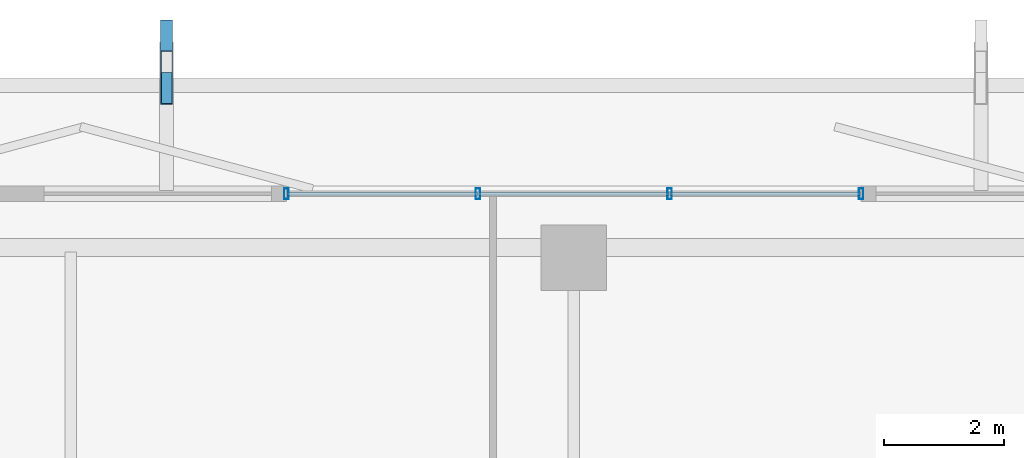
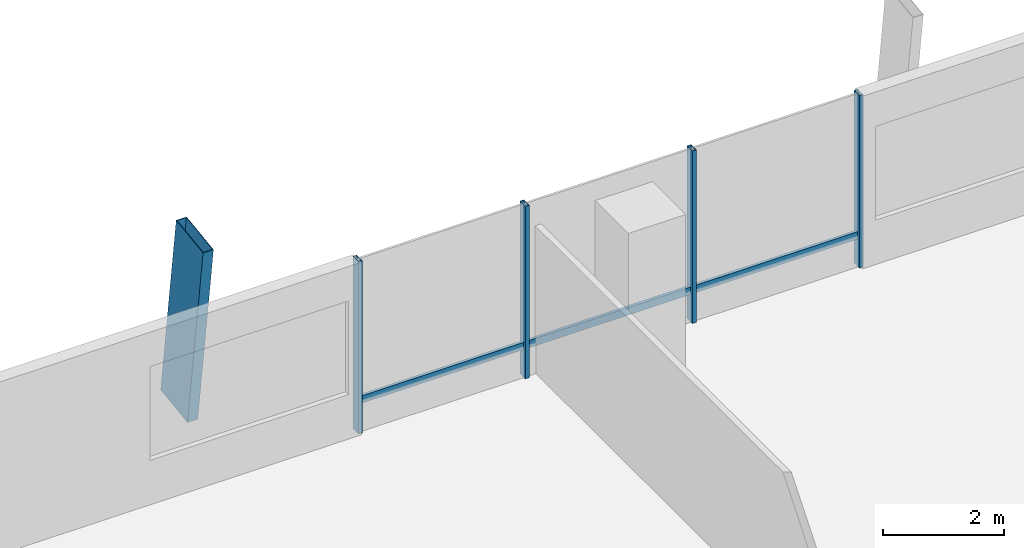
# One storey, part 10 of 16: 8 members, 1 element without a shape of its own.
"""IFC4 building model written with IfcOpenShell, lengths in metres."""

from ifc_helpers import new_model, si_unit, direction, frame, origin, origin_2d, place, context, subcontext, project, spatial, hollow_rectangle, extrude, material, layer, layer_set, material_profile, profile_set, type_object, element, aggregate, save


model = new_model("IFC4")

# Units and contexts
model_context = context("Model", 3, precision=1e-05, world=origin(), true_north=direction((0.0, 1.0)))
body_context = subcontext(model_context, "Body", "Model", "MODEL_VIEW")
ifc_project = project(units=[si_unit("LENGTHUNIT", "METRE"), si_unit("AREAUNIT", "SQUARE_METRE"), si_unit("VOLUMEUNIT", "CUBIC_METRE"), si_unit("PLANEANGLEUNIT", "RADIAN"), si_unit("MASSUNIT", "GRAM", prefix="KILO")], contexts=[model_context])

# Site, building, storey
site_placement = place(None, origin())
site = spatial("IfcSite", under=ifc_project, at=site_placement, CompositionType="ELEMENT")
building_placement = place(site_placement, origin())
building = spatial("IfcBuilding", under=site, at=building_placement, Name="Belovzor Exchange Tower", CompositionType="ELEMENT")
storey_placement = place(building_placement, frame((0.0, 0.0, 138.300048828125)))
storey = spatial("IfcBuildingStorey", under=building, at=storey_placement, Name="L33", CompositionType="ELEMENT", Elevation=138.300048828125)

# Member
ifc_material_1 = material(Name="Extruded Architectural Terracotta on Steel S355 Carrier", Category="masonry")
ifc_material_profile_1 = material_profile(ifc_material_1, hollow_rectangle(XDim=0.199951171875, YDim=0.89990234375, WallThickness=0.011962890625, at=origin_2d()))
ifc_profile_set_1 = profile_set([ifc_material_profile_1], Name="Extruded Architectural Terracotta on Steel S355 Carrier")
member_type_1 = type_object("IfcMemberType", Name="Sweeping Terracotta Baguette Fin Assembly 1250", PredefinedType="USERDEFINED", material=ifc_profile_set_1)
member_1_placement = place(storey_placement, frame((22.0, 55.425048828125, -0.255126953125), z_axis=(0.0, -0.136851262382, 0.990591607063), x_axis=(1.0, 0.0, 0.0)))
element("IfcMember", 1, at=member_1_placement, inside=storey, type_object=member_type_1, Name="FIN-TC125 Terracotta Facade Fin L33 N2", ObjectType="FIN", PredefinedType="USERDEFINED", context=body_context, shape_type="SweptSolid", body=[
    extrude(hollow_rectangle(XDim=0.199951171875, YDim=0.89990234375, WallThickness=0.011962890625, at=origin_2d()), origin(), (0.0, 0.0, 1.0), 3.78564453125),
])

# Curtain wall, members
ifc_material_2 = material(Name="Anodised Aluminium Framing", Category="aluminium")
ifc_layer = layer(ifc_material_2, 0.179931640625)
ifc_layer_set = layer_set([ifc_layer], Name="Anodised Aluminium Framing")
curtain_wall_type = type_object("IfcCurtainWallType", Name="Recessed Loggia Low-Iron Triple-Glazed Curtain Wall", PredefinedType="NOTDEFINED", material=ifc_layer_set)
curtain_wall_placement = place(storey_placement, origin())
curtain_wall = element("IfcCurtainWall", 2, at=curtain_wall_placement, inside=storey, type_object=curtain_wall_type, Name="CW3 Recessed Loggia Low-Iron Triple-Glazed Curtain Wall L33", PredefinedType="NOTDEFINED")
ifc_material_3 = material(Name="Steel S355", Category="steel")
ifc_material_profile_2 = material_profile(ifc_material_3, hollow_rectangle(XDim=0.074951171875, YDim=0.179931640625, WallThickness=0.0048828125, at=origin_2d()))
ifc_profile_set_2 = profile_set([ifc_material_profile_2], Name="Steel S355")
member_type_2 = type_object("IfcMemberType", Name="Thermally Broken Curtain Wall Mullion 180x75", PredefinedType="MULLION", material=ifc_profile_set_2)
member_2_placement = place(storey_placement, frame((24.0, 52.969970703125, 0.0), z_axis=(0.0, 0.0, 1.0), x_axis=(1.0, 0.0, 0.0)))
member_2 = element("IfcMember", 3, at=member_2_placement, type_object=member_type_2, Name="CW-M180 Curtain Wall Mullion 1", PredefinedType="MULLION", context=body_context, shape_type="SweptSolid", body=[
    extrude(hollow_rectangle(XDim=0.074951171875, YDim=0.179931640625, WallThickness=0.0048828125, at=origin_2d()), origin(), (0.0, 0.0, 1.0), 3.494873046875),
])
member_3_placement = place(storey_placement, frame((27.199951171875, 52.969970703125, 0.0), z_axis=(0.0, 0.0, 1.0), x_axis=(1.0, 0.0, 0.0)))
member_3 = element("IfcMember", 4, at=member_3_placement, type_object=member_type_2, Name="CW-M180 Curtain Wall Mullion 2", PredefinedType="MULLION", context=body_context, shape_type="SweptSolid", body=[
    extrude(hollow_rectangle(XDim=0.074951171875, YDim=0.179931640625, WallThickness=0.0048828125, at=origin_2d()), origin(), (0.0, 0.0, 1.0), 3.494873046875),
])
member_4_placement = place(storey_placement, frame((30.39990234375, 52.969970703125, 0.0), z_axis=(0.0, 0.0, 1.0), x_axis=(1.0, 0.0, 0.0)))
member_4 = element("IfcMember", 5, at=member_4_placement, type_object=member_type_2, Name="CW-M180 Curtain Wall Mullion 3", PredefinedType="MULLION", context=body_context, shape_type="SweptSolid", body=[
    extrude(hollow_rectangle(XDim=0.074951171875, YDim=0.179931640625, WallThickness=0.0048828125, at=origin_2d()), origin(), (0.0, 0.0, 1.0), 3.494873046875),
])
member_5_placement = place(storey_placement, frame((33.60009765625, 52.969970703125, 0.0), z_axis=(0.0, 0.0, 1.0), x_axis=(1.0, 0.0, 0.0)))
member_5 = element("IfcMember", 6, at=member_5_placement, type_object=member_type_2, Name="CW-M180 Curtain Wall Mullion 4", PredefinedType="MULLION", context=body_context, shape_type="SweptSolid", body=[
    extrude(hollow_rectangle(XDim=0.074951171875, YDim=0.179931640625, WallThickness=0.0048828125, at=origin_2d()), origin(), (0.0, 0.0, 1.0), 3.494873046875),
])
ifc_material_4 = material(Name="Steel S355", Category="steel")
ifc_material_profile_3 = material_profile(ifc_material_4, hollow_rectangle(XDim=0.06005859375, YDim=0.14990234375, WallThickness=0.00390625, at=origin_2d()))
ifc_profile_set_3 = profile_set([ifc_material_profile_3], Name="Steel S355")
member_type_3 = type_object("IfcMemberType", Name="Thermally Broken Curtain Wall Transom 150x60", PredefinedType="USERDEFINED", material=ifc_profile_set_3)
member_6_placement = place(storey_placement, frame((24.008056640625, 52.969970703125, 0.62890625), z_axis=(1.0, 0.0, 0.0), x_axis=(0.0, 1.0, 0.0)))
member_6 = element("IfcMember", 7, at=member_6_placement, type_object=member_type_3, Name="CW-T150 Curtain Wall Transom 1", ObjectType="TRANSOM", PredefinedType="USERDEFINED", context=body_context, shape_type="SweptSolid", body=[
    extrude(hollow_rectangle(XDim=0.06005859375, YDim=0.14990234375, WallThickness=0.00390625, at=origin_2d()), origin(), (0.0, 0.0, 1.0), 3.183837890625),
])
member_7_placement = place(storey_placement, frame((27.2080078125, 52.969970703125, 0.62890625), z_axis=(1.0, 0.0, 0.0), x_axis=(0.0, 1.0, 0.0)))
member_7 = element("IfcMember", 8, at=member_7_placement, type_object=member_type_3, Name="CW-T150 Curtain Wall Transom 2", ObjectType="TRANSOM", PredefinedType="USERDEFINED", context=body_context, shape_type="SweptSolid", body=[
    extrude(hollow_rectangle(XDim=0.06005859375, YDim=0.14990234375, WallThickness=0.00390625, at=origin_2d()), origin(), (0.0, 0.0, 1.0), 3.18408203125),
])
member_8_placement = place(storey_placement, frame((30.407958984375, 52.969970703125, 0.62890625), z_axis=(1.0, 0.0, 0.0), x_axis=(0.0, 1.0, 0.0)))
member_8 = element("IfcMember", 9, at=member_8_placement, type_object=member_type_3, Name="CW-T150 Curtain Wall Transom 3", ObjectType="TRANSOM", PredefinedType="USERDEFINED", context=body_context, shape_type="SweptSolid", body=[
    extrude(hollow_rectangle(XDim=0.06005859375, YDim=0.14990234375, WallThickness=0.00390625, at=origin_2d()), origin(), (0.0, 0.0, 1.0), 3.18408203125),
])
aggregate(curtain_wall, [member_2, member_3, member_4, member_5, member_6, member_7, member_8])

save(model, "model.ifc")
